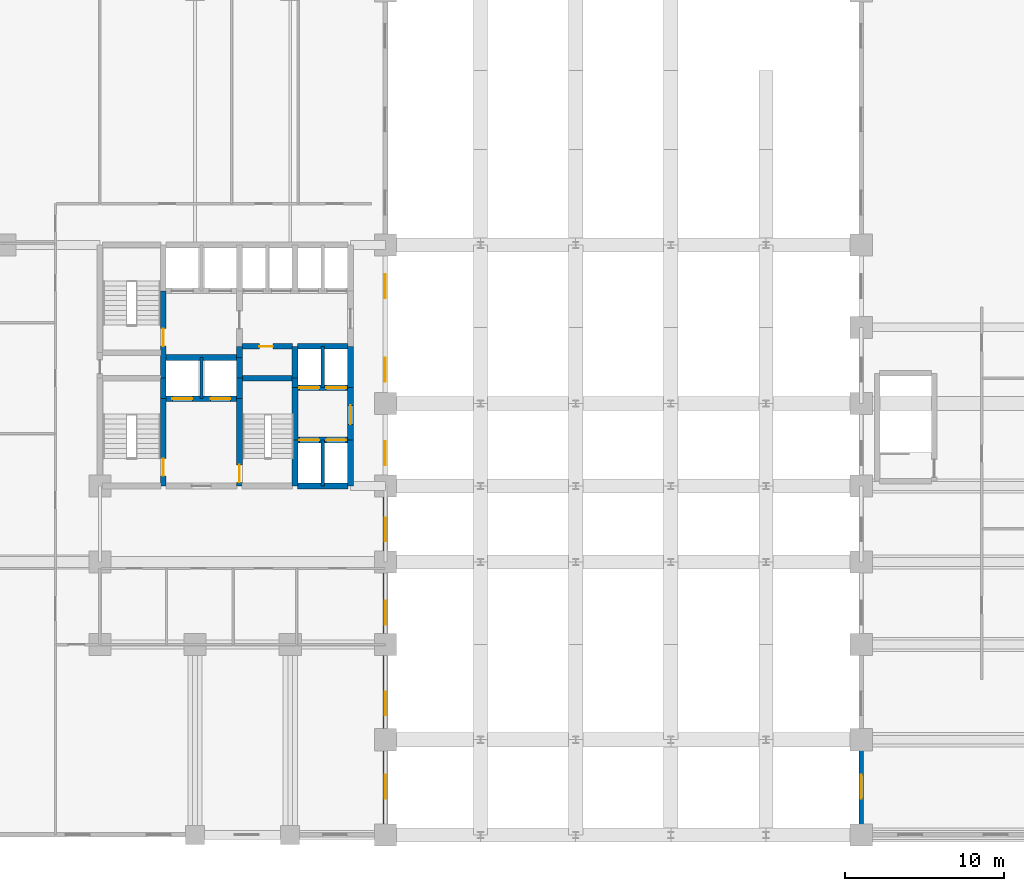
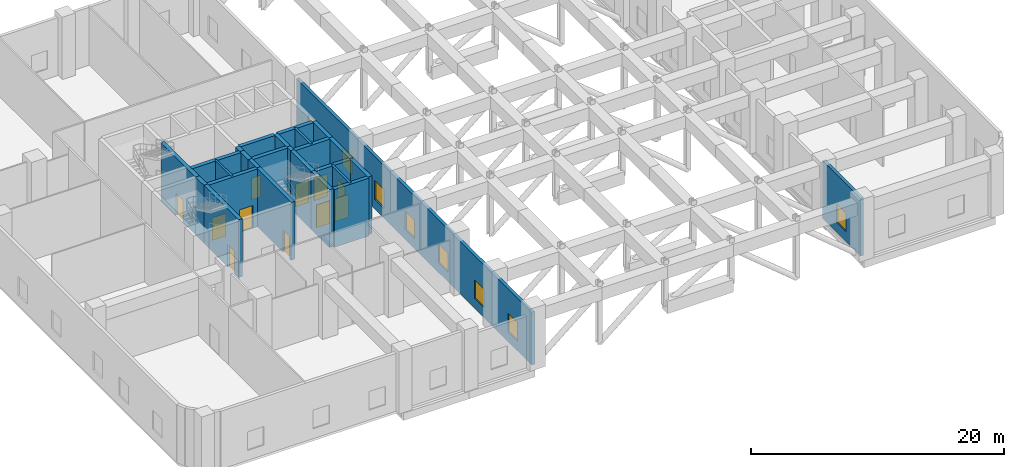
# One storey, part 5 of 11: 27 walls, 11 doors, 8 windows, 19 openings.
"""IFC4 building model written with IfcOpenShell, lengths in metres."""

from ifc_helpers import new_model, si_unit, direction, frame, frame_2d, origin, place, context, subcontext, project, spatial, rectangle, extrude, material, layer, layer_set, type_object, element, fill, save


model = new_model("IFC4")

# Units and contexts
model_context = context("Model", 3, precision=1e-05, world=origin(), true_north=direction((0.0, 1.0)))
body_context = subcontext(model_context, "Body", "Model", "MODEL_VIEW")
ifc_project = project(units=[si_unit("LENGTHUNIT", "METRE"), si_unit("AREAUNIT", "SQUARE_METRE"), si_unit("VOLUMEUNIT", "CUBIC_METRE"), si_unit("PLANEANGLEUNIT", "RADIAN"), si_unit("MASSUNIT", "GRAM", prefix="KILO")], contexts=[model_context])

# Site, building, storey
site_placement = place(None, origin())
site = spatial("IfcSite", under=ifc_project, at=site_placement, CompositionType="ELEMENT")
building_placement = place(site_placement, origin())
building = spatial("IfcBuilding", under=site, at=building_placement, Name="Keshet Zoharim Tower", CompositionType="ELEMENT")
storey_placement = place(building_placement, frame((0.0, 0.0, 13.0)))
storey = spatial("IfcBuildingStorey", under=building, at=storey_placement, Name="L02", CompositionType="ELEMENT", Elevation=13.0)

# Wall, opening, door
ifc_material_1 = material(Name="Concrete C60/75", Category="concrete")
ifc_layer_1 = layer(ifc_material_1, 0.35009765625)
ifc_layer_set_1 = layer_set([ifc_layer_1], Name="Concrete C60/75")
wall_type_1 = type_object("IfcWallType", Name="WL-CORE-350", PredefinedType="SHEAR", material=ifc_layer_set_1)
wall_1_placement = place(storey_placement, frame((19.0, 22.699951171875, 0.0), z_axis=(0.0, 0.0, 1.0), x_axis=(0.0, 1.0, 0.0)))
wall_1 = element("IfcWall", 1, at=wall_1_placement, inside=storey, type_object=wall_type_1, Name="L02 Core Shear Wall 011", PredefinedType="SHEAR", context=body_context, shape_type="SweptSolid", body=[
    extrude(rectangle(XDim=5.5, YDim=0.35009765625, at=frame_2d((2.75, 0.0))), origin(), (0.0, 0.0, 1.0), 5.580078125),
])
opening_1_placement = place(wall_1_placement, frame((0.631103515625, 0.0, 0.0)))
opening_1 = element("IfcOpeningElement", 2, at=opening_1_placement, cuts=wall_1, Name="Opening D-F611", PredefinedType="OPENING", context=body_context, shape_type="SweptSolid", body=[
    extrude(rectangle(XDim=1.10009765625, YDim=2.14990234375, at=frame_2d((0.550048828125, 1.074951171875))), frame((0.0, 0.18505859375, 0.0), z_axis=(0.0, -1.0, 0.0), x_axis=(1.0, 0.0, 0.0)), (0.0, 0.0, 1.0), 0.3701171875),
])
ifc_material_2 = material(Name="Hardwood Timber", Category="wood")
door_type_1 = type_object("IfcDoorType", Name="DR-FD60-110", OperationType="NOTDEFINED", PredefinedType="DOOR", material=ifc_material_2)
door_1_placement = place(opening_1_placement, origin())
door_1 = element("IfcDoor", 3, at=door_1_placement, inside=storey, type_object=door_type_1, Name="L02 Exit Stair ST-01 Fire Door", OperationType="SINGLE_SWING_RIGHT", OverallHeight=2.14990234375, OverallWidth=1.10009765625, PredefinedType="DOOR", context=body_context, shape_type="SweptSolid", body=[
    extrude(rectangle(XDim=1.10009765625, YDim=2.14990234375, at=frame_2d((0.550048828125, 1.074951171875))), frame((0.0, 0.02490234375, 0.0), z_axis=(0.0, -1.0, 0.0), x_axis=(1.0, 0.0, 0.0)), (0.0, 0.0, 1.0), 0.050048828125),
])
fill(opening_1, door_1)

# Wall
wall_2_placement = place(storey_placement, frame((19.0, 28.199951171875, 0.0), z_axis=(0.0, 0.0, 1.0), x_axis=(0.0, 1.0, 0.0)))
element("IfcWall", 4, at=wall_2_placement, inside=storey, type_object=wall_type_1, Name="L02 Core Shear Wall 012", PredefinedType="SHEAR", context=body_context, shape_type="SweptSolid", body=[
    extrude(rectangle(XDim=1.300048828125, YDim=0.35009765625, at=frame_2d((0.64990234375, 0.0))), origin(), (0.0, 0.0, 1.0), 5.580078125),
])

# Wall, opening, door
wall_3_placement = place(storey_placement, frame((19.0, 29.5, 0.0), z_axis=(0.0, 0.0, 1.0), x_axis=(0.0, 1.0, 0.0)))
wall_3 = element("IfcWall", 5, at=wall_3_placement, inside=storey, type_object=wall_type_1, Name="L02 Core Shear Wall 013", PredefinedType="SHEAR", context=body_context, shape_type="SweptSolid", body=[
    extrude(rectangle(XDim=5.5, YDim=0.35009765625, at=frame_2d((2.75, 0.0))), origin(), (0.0, 0.0, 1.0), 5.580078125),
])
opening_2_placement = place(wall_3_placement, frame((2.02490234375, 0.0, 0.0)))
opening_2 = element("IfcOpeningElement", 6, at=opening_2_placement, cuts=wall_3, Name="Opening D-F611", PredefinedType="OPENING", context=body_context, shape_type="SweptSolid", body=[
    extrude(rectangle(XDim=1.10009765625, YDim=2.14990234375, at=frame_2d((0.550048828125, 1.074951171875))), frame((0.0, 0.18505859375, 0.0), z_axis=(0.0, -1.0, 0.0), x_axis=(1.0, 0.0, 0.0)), (0.0, 0.0, 1.0), 0.3701171875),
])
door_2_placement = place(opening_2_placement, origin())
door_2 = element("IfcDoor", 7, at=door_2_placement, inside=storey, type_object=door_type_1, Name="L02 Exit Stair ST-02 Fire Door", OperationType="SINGLE_SWING_LEFT", OverallHeight=2.14990234375, OverallWidth=1.10009765625, PredefinedType="DOOR", context=body_context, shape_type="SweptSolid", body=[
    extrude(rectangle(XDim=1.10009765625, YDim=2.14990234375, at=frame_2d((0.550048828125, 1.074951171875))), frame((0.0, 0.02490234375, 0.0), z_axis=(0.0, -1.0, 0.0), x_axis=(1.0, 0.0, 0.0)), (0.0, 0.0, 1.0), 0.050048828125),
])
fill(opening_2, door_2)

wall_4_placement = place(storey_placement, frame((23.800048828125, 22.699951171875, 0.0), z_axis=(0.0, 0.0, 1.0), x_axis=(0.0, 1.0, 0.0)))
wall_4 = element("IfcWall", 8, at=wall_4_placement, inside=storey, type_object=wall_type_1, Name="L02 Core Shear Wall 020", PredefinedType="SHEAR", context=body_context, shape_type="SweptSolid", body=[
    extrude(rectangle(XDim=5.5, YDim=0.35009765625, at=frame_2d((2.75, 0.0))), origin(), (0.0, 0.0, 1.0), 5.580078125),
])
opening_3_placement = place(wall_4_placement, frame((0.235107421875, 0.0, 0.0)))
opening_3 = element("IfcOpeningElement", 9, at=opening_3_placement, cuts=wall_4, Name="Opening D-F611", PredefinedType="OPENING", context=body_context, shape_type="SweptSolid", body=[
    extrude(rectangle(XDim=1.10009765625, YDim=2.14990234375, at=frame_2d((0.550048828125, 1.074951171875))), frame((0.0, 0.18505859375, 0.0), z_axis=(0.0, -1.0, 0.0), x_axis=(1.0, 0.0, 0.0)), (0.0, 0.0, 1.0), 0.3701171875),
])
door_3_placement = place(opening_3_placement, frame((1.10009765625, 0.0, 0.0), z_axis=(0.0, 0.0, 1.0), x_axis=(-1.0, 0.0, 0.0)))
door_3 = element("IfcDoor", 10, at=door_3_placement, inside=storey, type_object=door_type_1, Name="L02 Exit Stair ST-03 Fire Door", OperationType="SINGLE_SWING_RIGHT", OverallHeight=2.14990234375, OverallWidth=1.10009765625, PredefinedType="DOOR", context=body_context, shape_type="SweptSolid", body=[
    extrude(rectangle(XDim=1.10009765625, YDim=2.14990234375, at=frame_2d((0.550048828125, 1.074951171875))), frame((0.0, 0.02490234375, 0.0), z_axis=(0.0, -1.0, 0.0), x_axis=(1.0, 0.0, 0.0)), (0.0, 0.0, 1.0), 0.050048828125),
])
fill(opening_3, door_3)

# Walls
for number, where, z_axis, x_axis, name in (
    (11, (23.800048828125, 28.199951171875, 0.0), (0.0, 0.0, 1.0), (0.0, 1.0, 0.0), "L02 Core Shear Wall 021"),
    (12, (23.800048828125, 29.5, 0.0), (0.0, 0.0, 1.0), (0.0, 1.0, 0.0), "L02 Core Shear Wall 022"),
):
    element("IfcWall", number, at=place(storey_placement, frame(where, z_axis=z_axis, x_axis=x_axis)), inside=storey, type_object=wall_type_1, Name=name, PredefinedType="SHEAR", context=body_context, shape_type="SweptSolid", body=[
        extrude(rectangle(XDim=1.300048828125, YDim=0.35009765625, at=frame_2d((0.64990234375, 0.0))), origin(), (0.0, 0.0, 1.0), 5.580078125),
    ])
wall_5_placement = place(storey_placement, frame((23.800048828125, 30.800048828125, 0.0), z_axis=(0.0, 0.0, 1.0), x_axis=(0.0, 1.0, 0.0)))
element("IfcWall", 13, at=wall_5_placement, inside=storey, type_object=wall_type_1, Name="L02 Core Shear Wall 023", PredefinedType="SHEAR", context=body_context, shape_type="SweptSolid", body=[
    extrude(rectangle(XDim=0.699951171875, YDim=0.35009765625, at=frame_2d((0.35009765625, 0.0))), origin(), (0.0, 0.0, 1.0), 5.580078125),
])
wall_6_placement = place(storey_placement, frame((27.300048828125, 22.699951171875, 0.0), z_axis=(0.0, 0.0, 1.0), x_axis=(0.0, 1.0, 0.0)))
element("IfcWall", 14, at=wall_6_placement, inside=storey, type_object=wall_type_1, Name="L02 Core Shear Wall 027", PredefinedType="SHEAR", context=body_context, shape_type="SweptSolid", body=[
    extrude(rectangle(XDim=2.900146484375, YDim=0.35009765625, at=frame_2d((1.4501953125, 0.0))), origin(), (0.0, 0.0, 1.0), 5.580078125),
])
wall_7_placement = place(storey_placement, frame((27.300048828125, 25.60009765625, 0.0), z_axis=(0.0, 0.0, 1.0), x_axis=(0.0, 1.0, 0.0)))
element("IfcWall", 15, at=wall_7_placement, inside=storey, type_object=wall_type_1, Name="L02 Core Shear Wall 028", PredefinedType="SHEAR", context=body_context, shape_type="SweptSolid", body=[
    extrude(rectangle(XDim=3.2998046875, YDim=0.35009765625, at=frame_2d((1.64990234375, 0.0))), origin(), (0.0, 0.0, 1.0), 5.580078125),
])
wall_8_placement = place(storey_placement, frame((27.300048828125, 28.89990234375, 0.0), z_axis=(0.0, 0.0, 1.0), x_axis=(0.0, 1.0, 0.0)))
element("IfcWall", 16, at=wall_8_placement, inside=storey, type_object=wall_type_1, Name="L02 Core Shear Wall 029", PredefinedType="SHEAR", context=body_context, shape_type="SweptSolid", body=[
    extrude(rectangle(XDim=0.60009765625, YDim=0.35009765625, at=frame_2d((0.300048828125, 0.0))), origin(), (0.0, 0.0, 1.0), 5.580078125),
])
wall_9_placement = place(storey_placement, frame((27.300048828125, 29.5, 0.0), z_axis=(0.0, 0.0, 1.0), x_axis=(0.0, 1.0, 0.0)))
element("IfcWall", 17, at=wall_9_placement, inside=storey, type_object=wall_type_1, Name="L02 Core Shear Wall 030", PredefinedType="SHEAR", context=body_context, shape_type="SweptSolid", body=[
    extrude(rectangle(XDim=2.0, YDim=0.35009765625, at=frame_2d((1.0, 0.0))), origin(), (0.0, 0.0, 1.0), 5.580078125),
])
wall_10_placement = place(storey_placement, frame((30.800048828125, 22.699951171875, 0.0), z_axis=(0.0, 0.0, 1.0), x_axis=(0.0, 1.0, 0.0)))
element("IfcWall", 18, at=wall_10_placement, inside=storey, type_object=wall_type_1, Name="L02 Core Shear Wall 037", PredefinedType="SHEAR", context=body_context, shape_type="SweptSolid", body=[
    extrude(rectangle(XDim=2.900146484375, YDim=0.35009765625, at=frame_2d((1.4501953125, 0.0))), origin(), (0.0, 0.0, 1.0), 5.580078125),
])

# Wall, opening, door
wall_11_placement = place(storey_placement, frame((30.800048828125, 25.60009765625, 0.0), z_axis=(0.0, 0.0, 1.0), x_axis=(0.0, 1.0, 0.0)))
wall_11 = element("IfcWall", 19, at=wall_11_placement, inside=storey, type_object=wall_type_1, Name="L02 Core Shear Wall 038", PredefinedType="SHEAR", context=body_context, shape_type="SweptSolid", body=[
    extrude(rectangle(XDim=3.2998046875, YDim=0.35009765625, at=frame_2d((1.64990234375, 0.0))), origin(), (0.0, 0.0, 1.0), 5.580078125),
])
opening_4_placement = place(wall_11_placement, frame((0.97802734375, 0.0, 0.0)))
opening_4 = element("IfcOpeningElement", 20, at=opening_4_placement, cuts=wall_11, Name="Opening D-F612", PredefinedType="OPENING", context=body_context, shape_type="SweptSolid", body=[
    extrude(rectangle(XDim=1.199951171875, YDim=2.199951171875, at=frame_2d((0.60009765625, 1.10009765625))), frame((0.0, 0.18505859375, 0.0), z_axis=(0.0, -1.0, 0.0), x_axis=(1.0, 0.0, 0.0)), (0.0, 0.0, 1.0), 0.3701171875),
])
door_type_2 = type_object("IfcDoorType", Name="DR-FD60-120", OperationType="NOTDEFINED", PredefinedType="DOOR", material=ifc_material_2)
door_4_placement = place(opening_4_placement, origin())
door_4 = element("IfcDoor", 21, at=door_4_placement, inside=storey, type_object=door_type_2, Name="L02 East Lift Lobby Fire Door", OperationType="SINGLE_SWING_RIGHT", OverallHeight=2.199951171875, OverallWidth=1.199951171875, PredefinedType="DOOR", context=body_context, shape_type="SweptSolid", body=[
    extrude(rectangle(XDim=1.199951171875, YDim=2.199951171875, at=frame_2d((0.60009765625, 1.10009765625))), frame((0.0, 0.02490234375, 0.0), z_axis=(0.0, -1.0, 0.0), x_axis=(1.0, 0.0, 0.0)), (0.0, 0.0, 1.0), 0.050048828125),
])
fill(opening_4, door_4)

# Walls
wall_12_placement = place(storey_placement, frame((30.800048828125, 28.89990234375, 0.0), z_axis=(0.0, 0.0, 1.0), x_axis=(0.0, 1.0, 0.0)))
element("IfcWall", 22, at=wall_12_placement, inside=storey, type_object=wall_type_1, Name="L02 Core Shear Wall 039", PredefinedType="SHEAR", context=body_context, shape_type="SweptSolid", body=[
    extrude(rectangle(XDim=2.60009765625, YDim=0.35009765625, at=frame_2d((1.300048828125, 0.0))), origin(), (0.0, 0.0, 1.0), 5.580078125),
])
wall_13_placement = place(storey_placement, frame((27.4599609375, 22.699951171875, 0.0), z_axis=(0.0, 0.0, 1.0), x_axis=(1.0, 0.0, 0.0)))
element("IfcWall", 23, at=wall_13_placement, inside=storey, type_object=wall_type_1, Name="L02 Core Shear Wall 059", PredefinedType="SHEAR", context=body_context, shape_type="SweptSolid", body=[
    extrude(rectangle(XDim=3.179931640625, YDim=0.35009765625, at=frame_2d((1.58984375, 0.0))), origin(), (0.0, 0.0, 1.0), 5.580078125),
])

# Wall, openings, doors
wall_14_placement = place(storey_placement, frame((27.4599609375, 25.60009765625, 0.0), z_axis=(0.0, 0.0, 1.0), x_axis=(1.0, 0.0, 0.0)))
wall_14 = element("IfcWall", 24, at=wall_14_placement, inside=storey, type_object=wall_type_1, Name="L02 Core Shear Wall 061", PredefinedType="SHEAR", context=body_context, shape_type="SweptSolid", body=[
    extrude(rectangle(XDim=3.179931640625, YDim=0.35009765625, at=frame_2d((1.58984375, 0.0))), origin(), (0.0, 0.0, 1.0), 5.580078125),
])
opening_5_placement = place(wall_14_placement, frame((0.1201171875, 0.0, 0.0)))
opening_5 = element("IfcOpeningElement", 25, at=opening_5_placement, cuts=wall_14, Name="Opening LD-01", PredefinedType="OPENING", context=body_context, shape_type="SweptSolid", body=[
    extrude(rectangle(XDim=1.25, YDim=2.199951171875, at=frame_2d((0.625, 1.10009765625))), frame((0.0, 0.18505859375, 0.0), z_axis=(0.0, -1.0, 0.0), x_axis=(1.0, 0.0, 0.0)), (0.0, 0.0, 1.0), 0.3701171875),
])
opening_6_placement = place(wall_14_placement, frame((1.81005859375, 0.0, 0.0)))
opening_6 = element("IfcOpeningElement", 26, at=opening_6_placement, cuts=wall_14, Name="Opening LD-01", PredefinedType="OPENING", context=body_context, shape_type="SweptSolid", body=[
    extrude(rectangle(XDim=1.25, YDim=2.199951171875, at=frame_2d((0.625, 1.10009765625))), frame((0.0, 0.18505859375, 0.0), z_axis=(0.0, -1.0, 0.0), x_axis=(1.0, 0.0, 0.0)), (0.0, 0.0, 1.0), 0.3701171875),
])
ifc_material_3 = material(Name="Steel S355", Category="steel")
door_type_3 = type_object("IfcDoorType", Name="DR-LD01-125", OperationType="DOUBLE_DOOR_SLIDING", PredefinedType="DOOR", material=ifc_material_3)
door_5_placement = place(opening_5_placement, origin())
door_5 = element("IfcDoor", 27, at=door_5_placement, inside=storey, type_object=door_type_3, Name="L02 Passenger Lift Landing Door LF-07", OperationType="DOUBLE_DOOR_SLIDING", OverallHeight=2.199951171875, OverallWidth=1.25, PredefinedType="DOOR", context=body_context, shape_type="SweptSolid", body=[
    extrude(rectangle(XDim=1.25, YDim=2.199951171875, at=frame_2d((0.625, 1.10009765625))), frame((0.0, 0.02490234375, 0.0), z_axis=(0.0, -1.0, 0.0), x_axis=(1.0, 0.0, 0.0)), (0.0, 0.0, 1.0), 0.050048828125),
])
fill(opening_5, door_5)
door_6_placement = place(opening_6_placement, origin())
door_6 = element("IfcDoor", 28, at=door_6_placement, inside=storey, type_object=door_type_3, Name="L02 Passenger Lift Landing Door LF-08", OperationType="DOUBLE_DOOR_SLIDING", OverallHeight=2.199951171875, OverallWidth=1.25, PredefinedType="DOOR", context=body_context, shape_type="SweptSolid", body=[
    extrude(rectangle(XDim=1.25, YDim=2.199951171875, at=frame_2d((0.625, 1.10009765625))), frame((0.0, 0.02490234375, 0.0), z_axis=(0.0, -1.0, 0.0), x_axis=(1.0, 0.0, 0.0)), (0.0, 0.0, 1.0), 0.050048828125),
])
fill(opening_6, door_6)

wall_15_placement = place(storey_placement, frame((19.159912109375, 28.199951171875, 0.0), z_axis=(0.0, 0.0, 1.0), x_axis=(1.0, 0.0, 0.0)))
wall_15 = element("IfcWall", 29, at=wall_15_placement, inside=storey, type_object=wall_type_1, Name="L02 Core Shear Wall 063", PredefinedType="SHEAR", context=body_context, shape_type="SweptSolid", body=[
    extrude(rectangle(XDim=4.47998046875, YDim=0.35009765625, at=frame_2d((2.239990234375, 0.0))), origin(), (0.0, 0.0, 1.0), 5.580078125),
])
opening_7_placement = place(wall_15_placement, frame((0.4150390625, 0.0, 0.0)))
opening_7 = element("IfcOpeningElement", 30, at=opening_7_placement, cuts=wall_15, Name="Opening LD-01", PredefinedType="OPENING", context=body_context, shape_type="SweptSolid", body=[
    extrude(rectangle(XDim=1.25, YDim=2.199951171875, at=frame_2d((0.625, 1.10009765625))), frame((0.0, 0.18505859375, 0.0), z_axis=(0.0, -1.0, 0.0), x_axis=(1.0, 0.0, 0.0)), (0.0, 0.0, 1.0), 0.3701171875),
])
opening_8_placement = place(wall_15_placement, frame((2.81494140625, 0.0, 0.0)))
opening_8 = element("IfcOpeningElement", 31, at=opening_8_placement, cuts=wall_15, Name="Opening LD-01", PredefinedType="OPENING", context=body_context, shape_type="SweptSolid", body=[
    extrude(rectangle(XDim=1.25, YDim=2.199951171875, at=frame_2d((0.625, 1.10009765625))), frame((0.0, 0.18505859375, 0.0), z_axis=(0.0, -1.0, 0.0), x_axis=(1.0, 0.0, 0.0)), (0.0, 0.0, 1.0), 0.3701171875),
])
door_7_placement = place(opening_7_placement, origin())
door_7 = element("IfcDoor", 32, at=door_7_placement, inside=storey, type_object=door_type_3, Name="L02 Passenger Lift Landing Door LF-09", OperationType="DOUBLE_DOOR_SLIDING", OverallHeight=2.199951171875, OverallWidth=1.25, PredefinedType="DOOR", context=body_context, shape_type="SweptSolid", body=[
    extrude(rectangle(XDim=1.25, YDim=2.199951171875, at=frame_2d((0.625, 1.10009765625))), frame((0.0, 0.02490234375, 0.0), z_axis=(0.0, -1.0, 0.0), x_axis=(1.0, 0.0, 0.0)), (0.0, 0.0, 1.0), 0.050048828125),
])
fill(opening_7, door_7)
door_8_placement = place(opening_8_placement, origin())
door_8 = element("IfcDoor", 33, at=door_8_placement, inside=storey, type_object=door_type_3, Name="L02 Passenger Lift Landing Door LF-10", OperationType="DOUBLE_DOOR_SLIDING", OverallHeight=2.199951171875, OverallWidth=1.25, PredefinedType="DOOR", context=body_context, shape_type="SweptSolid", body=[
    extrude(rectangle(XDim=1.25, YDim=2.199951171875, at=frame_2d((0.625, 1.10009765625))), frame((0.0, 0.02490234375, 0.0), z_axis=(0.0, -1.0, 0.0), x_axis=(1.0, 0.0, 0.0)), (0.0, 0.0, 1.0), 0.050048828125),
])
fill(opening_8, door_8)

wall_16_placement = place(storey_placement, frame((27.4599609375, 28.89990234375, 0.0), z_axis=(0.0, 0.0, 1.0), x_axis=(1.0, 0.0, 0.0)))
wall_16 = element("IfcWall", 34, at=wall_16_placement, inside=storey, type_object=wall_type_1, Name="L02 Core Shear Wall 064", PredefinedType="SHEAR", context=body_context, shape_type="SweptSolid", body=[
    extrude(rectangle(XDim=3.179931640625, YDim=0.35009765625, at=frame_2d((1.58984375, 0.0))), origin(), (0.0, 0.0, 1.0), 5.580078125),
])
opening_9_placement = place(wall_16_placement, frame((0.1201171875, 0.0, 0.0)))
opening_9 = element("IfcOpeningElement", 35, at=opening_9_placement, cuts=wall_16, Name="Opening LD-01", PredefinedType="OPENING", context=body_context, shape_type="SweptSolid", body=[
    extrude(rectangle(XDim=1.25, YDim=2.199951171875, at=frame_2d((0.625, 1.10009765625))), frame((0.0, 0.18505859375, 0.0), z_axis=(0.0, -1.0, 0.0), x_axis=(1.0, 0.0, 0.0)), (0.0, 0.0, 1.0), 0.3701171875),
])
opening_10_placement = place(wall_16_placement, frame((1.81005859375, 0.0, 0.0)))
opening_10 = element("IfcOpeningElement", 36, at=opening_10_placement, cuts=wall_16, Name="Opening LD-01", PredefinedType="OPENING", context=body_context, shape_type="SweptSolid", body=[
    extrude(rectangle(XDim=1.25, YDim=2.199951171875, at=frame_2d((0.625, 1.10009765625))), frame((0.0, 0.18505859375, 0.0), z_axis=(0.0, -1.0, 0.0), x_axis=(1.0, 0.0, 0.0)), (0.0, 0.0, 1.0), 0.3701171875),
])
door_9_placement = place(opening_9_placement, origin())
door_9 = element("IfcDoor", 37, at=door_9_placement, inside=storey, type_object=door_type_3, Name="L02 Passenger Lift Landing Door LF-05", OperationType="DOUBLE_DOOR_SLIDING", OverallHeight=2.199951171875, OverallWidth=1.25, PredefinedType="DOOR", context=body_context, shape_type="SweptSolid", body=[
    extrude(rectangle(XDim=1.25, YDim=2.199951171875, at=frame_2d((0.625, 1.10009765625))), frame((0.0, 0.02490234375, 0.0), z_axis=(0.0, -1.0, 0.0), x_axis=(1.0, 0.0, 0.0)), (0.0, 0.0, 1.0), 0.050048828125),
])
fill(opening_9, door_9)
door_10_placement = place(opening_10_placement, origin())
door_10 = element("IfcDoor", 38, at=door_10_placement, inside=storey, type_object=door_type_3, Name="L02 Passenger Lift Landing Door LF-06", OperationType="DOUBLE_DOOR_SLIDING", OverallHeight=2.199951171875, OverallWidth=1.25, PredefinedType="DOOR", context=body_context, shape_type="SweptSolid", body=[
    extrude(rectangle(XDim=1.25, YDim=2.199951171875, at=frame_2d((0.625, 1.10009765625))), frame((0.0, 0.02490234375, 0.0), z_axis=(0.0, -1.0, 0.0), x_axis=(1.0, 0.0, 0.0)), (0.0, 0.0, 1.0), 0.050048828125),
])
fill(opening_10, door_10)

# Walls
wall_17_placement = place(storey_placement, frame((23.9599609375, 29.5, 0.0), z_axis=(0.0, 0.0, 1.0), x_axis=(1.0, 0.0, 0.0)))
element("IfcWall", 39, at=wall_17_placement, inside=storey, type_object=wall_type_1, Name="L02 Core Shear Wall 066", PredefinedType="SHEAR", context=body_context, shape_type="SweptSolid", body=[
    extrude(rectangle(XDim=3.179931640625, YDim=0.35009765625, at=frame_2d((1.58984375, 0.0))), origin(), (0.0, 0.0, 1.0), 5.580078125),
])
wall_18_placement = place(storey_placement, frame((19.159912109375, 30.800048828125, 0.0), z_axis=(0.0, 0.0, 1.0), x_axis=(1.0, 0.0, 0.0)))
element("IfcWall", 40, at=wall_18_placement, inside=storey, type_object=wall_type_1, Name="L02 Core Shear Wall 069", PredefinedType="SHEAR", context=body_context, shape_type="SweptSolid", body=[
    extrude(rectangle(XDim=4.47998046875, YDim=0.35009765625, at=frame_2d((2.239990234375, 0.0))), origin(), (0.0, 0.0, 1.0), 5.580078125),
])

# Wall, opening, door
wall_19_placement = place(storey_placement, frame((23.9599609375, 31.5, 0.0), z_axis=(0.0, 0.0, 1.0), x_axis=(1.0, 0.0, 0.0)))
wall_19 = element("IfcWall", 41, at=wall_19_placement, inside=storey, type_object=wall_type_1, Name="L02 Core Shear Wall 071", PredefinedType="SHEAR", context=body_context, shape_type="SweptSolid", body=[
    extrude(rectangle(XDim=3.179931640625, YDim=0.35009765625, at=frame_2d((1.58984375, 0.0))), origin(), (0.0, 0.0, 1.0), 5.580078125),
])
opening_11_placement = place(wall_19_placement, frame((1.093994140625, 0.0, 0.0)))
opening_11 = element("IfcOpeningElement", 42, at=opening_11_placement, cuts=wall_19, Name="Opening D-RS85", PredefinedType="OPENING", context=body_context, shape_type="SweptSolid", body=[
    extrude(rectangle(XDim=0.85009765625, YDim=2.10009765625, at=frame_2d((0.425048828125, 1.050048828125))), frame((0.0, 0.18505859375, 0.0), z_axis=(0.0, -1.0, 0.0), x_axis=(1.0, 0.0, 0.0)), (0.0, 0.0, 1.0), 0.3701171875),
])
door_type_4 = type_object("IfcDoorType", Name="DR-RIS-085", OperationType="NOTDEFINED", PredefinedType="DOOR", material=ifc_material_2)
door_11_placement = place(opening_11_placement, origin())
door_11 = element("IfcDoor", 43, at=door_11_placement, inside=storey, type_object=door_type_4, Name="L02 Telecom Riser Access Cupboard Door", OperationType="SINGLE_SWING_RIGHT", OverallHeight=2.10009765625, OverallWidth=0.85009765625, PredefinedType="DOOR", context=body_context, shape_type="SweptSolid", body=[
    extrude(rectangle(XDim=0.85009765625, YDim=2.10009765625, at=frame_2d((0.425048828125, 1.050048828125))), frame((0.0, 0.02490234375, 0.0), z_axis=(0.0, -1.0, 0.0), x_axis=(1.0, 0.0, 0.0)), (0.0, 0.0, 1.0), 0.050048828125),
])
fill(opening_11, door_11)

# Wall
wall_20_placement = place(storey_placement, frame((27.4599609375, 31.5, 0.0), z_axis=(0.0, 0.0, 1.0), x_axis=(1.0, 0.0, 0.0)))
element("IfcWall", 44, at=wall_20_placement, inside=storey, type_object=wall_type_1, Name="L02 Core Shear Wall 072", PredefinedType="SHEAR", context=body_context, shape_type="SweptSolid", body=[
    extrude(rectangle(XDim=3.179931640625, YDim=0.35009765625, at=frame_2d((1.58984375, 0.0))), origin(), (0.0, 0.0, 1.0), 5.580078125),
])

# Wall, opening, window
ifc_material_4 = material(Name="Concrete C50/60 precast", Category="concrete")
ifc_layer_2 = layer(ifc_material_4, 0.280029296875)
ifc_layer_set_2 = layer_set([ifc_layer_2], Name="Concrete C50/60 precast")
wall_type_2 = type_object("IfcWallType", Name="WL-EXT-280", PredefinedType="STANDARD", material=ifc_layer_set_2)
wall_21_placement = place(storey_placement, frame((63.0, 0.699951171875, 0.0), z_axis=(0.0, 0.0, 1.0), x_axis=(0.0, 1.0, 0.0)))
wall_21 = element("IfcWall", 45, at=wall_21_placement, inside=storey, type_object=wall_type_2, Name="L02 Podium Precast Facade Wall 19", PredefinedType="STANDARD", context=body_context, shape_type="SweptSolid", body=[
    extrude(rectangle(XDim=6.0, YDim=0.280029296875, at=frame_2d((3.0, 0.0))), origin(), (0.0, 0.0, 1.0), 5.580078125),
])
opening_12_placement = place(wall_21_placement, frame((2.280029296875, 0.0, 0.949951171875)))
opening_12 = element("IfcOpeningElement", 46, at=opening_12_placement, cuts=wall_21, Name="Opening W-150", PredefinedType="OPENING", context=body_context, shape_type="SweptSolid", body=[
    extrude(rectangle(XDim=1.5, YDim=1.800048828125, at=frame_2d((0.75, 0.89990234375))), frame((0.0, 0.14990234375, 0.0), z_axis=(0.0, -1.0, 0.0), x_axis=(1.0, 0.0, 0.0)), (0.0, 0.0, 1.0), 0.300048828125),
])
ifc_material_5 = material(Name="Insulated Low-E Clear Glass", Category="glass")
window_type = type_object("IfcWindowType", Name="WN-CLN-150", PartitioningType="SINGLE_PANEL", PredefinedType="WINDOW", material=ifc_material_5)
window_1_placement = place(opening_12_placement, origin())
window_1 = element("IfcWindow", 47, at=window_1_placement, inside=storey, type_object=window_type, Name="L02 Clinic Facade Window 39", OverallHeight=1.800048828125, OverallWidth=1.5, PartitioningType="SINGLE_PANEL", PredefinedType="WINDOW", context=body_context, shape_type="SweptSolid", body=[
    extrude(rectangle(XDim=1.5, YDim=1.800048828125, at=frame_2d((0.75, 0.89990234375))), frame((0.0, 0.030029296875, 0.0), z_axis=(0.0, -1.0, 0.0), x_axis=(1.0, 0.0, 0.0)), (0.0, 0.0, 1.0), 0.06005859375),
])
fill(opening_12, window_1)

# Wall, openings, windows
wall_22_placement = place(storey_placement, frame((33.0, 37.89990234375, 0.0), z_axis=(0.0, 0.0, 1.0), x_axis=(0.0, -1.0, 0.0)))
wall_22 = element("IfcWall", 48, at=wall_22_placement, inside=storey, type_object=wall_type_2, Name="L02 Podium Precast Facade Wall 06 Part 2", PredefinedType="STANDARD", context=body_context, shape_type="SweptSolid", body=[
    extrude(rectangle(XDim=37.199951171875, YDim=0.280029296875, at=frame_2d((18.60009765625, 0.0))), origin(), (0.0, 0.0, 1.0), 5.080078125),
])
opening_13_placement = place(wall_22_placement, frame((1.860107421875, 0.0, 0.949951171875)))
opening_13 = element("IfcOpeningElement", 49, at=opening_13_placement, cuts=wall_22, Name="Opening W-150", PredefinedType="OPENING", context=body_context, shape_type="SweptSolid", body=[
    extrude(rectangle(XDim=1.5, YDim=1.800048828125, at=frame_2d((0.75, 0.89990234375))), frame((0.0, 0.14990234375, 0.0), z_axis=(0.0, -1.0, 0.0), x_axis=(1.0, 0.0, 0.0)), (0.0, 0.0, 1.0), 0.300048828125),
])
opening_14_placement = place(wall_22_placement, frame((7.1201171875, 0.0, 0.949951171875)))
opening_14 = element("IfcOpeningElement", 50, at=opening_14_placement, cuts=wall_22, Name="Opening W-150", PredefinedType="OPENING", context=body_context, shape_type="SweptSolid", body=[
    extrude(rectangle(XDim=1.5, YDim=1.800048828125, at=frame_2d((0.75, 0.89990234375))), frame((0.0, 0.14990234375, 0.0), z_axis=(0.0, -1.0, 0.0), x_axis=(1.0, 0.0, 0.0)), (0.0, 0.0, 1.0), 0.300048828125),
])
opening_15_placement = place(wall_22_placement, frame((12.3798828125, 0.0, 0.949951171875)))
opening_15 = element("IfcOpeningElement", 51, at=opening_15_placement, cuts=wall_22, Name="Opening W-150", PredefinedType="OPENING", context=body_context, shape_type="SweptSolid", body=[
    extrude(rectangle(XDim=1.5, YDim=1.800048828125, at=frame_2d((0.75, 0.89990234375))), frame((0.0, 0.14990234375, 0.0), z_axis=(0.0, -1.0, 0.0), x_axis=(1.0, 0.0, 0.0)), (0.0, 0.0, 1.0), 0.300048828125),
])
opening_16_placement = place(wall_22_placement, frame((17.18994140625, 0.0, 0.949951171875)))
opening_16 = element("IfcOpeningElement", 52, at=opening_16_placement, cuts=wall_22, Name="Opening W-150", PredefinedType="OPENING", context=body_context, shape_type="SweptSolid", body=[
    extrude(rectangle(XDim=1.5, YDim=1.800048828125, at=frame_2d((0.75, 0.89990234375))), frame((0.0, 0.14990234375, 0.0), z_axis=(0.0, -1.0, 0.0), x_axis=(1.0, 0.0, 0.0)), (0.0, 0.0, 1.0), 0.300048828125),
])
opening_17_placement = place(wall_22_placement, frame((22.449951171875, 0.0, 0.949951171875)))
opening_17 = element("IfcOpeningElement", 53, at=opening_17_placement, cuts=wall_22, Name="Opening W-150", PredefinedType="OPENING", context=body_context, shape_type="SweptSolid", body=[
    extrude(rectangle(XDim=1.5, YDim=1.800048828125, at=frame_2d((0.75, 0.89990234375))), frame((0.0, 0.14990234375, 0.0), z_axis=(0.0, -1.0, 0.0), x_axis=(1.0, 0.0, 0.0)), (0.0, 0.0, 1.0), 0.300048828125),
])
opening_18_placement = place(wall_22_placement, frame((28.159912109375, 0.0, 0.949951171875)))
opening_18 = element("IfcOpeningElement", 54, at=opening_18_placement, cuts=wall_22, Name="Opening W-150", PredefinedType="OPENING", context=body_context, shape_type="SweptSolid", body=[
    extrude(rectangle(XDim=1.5, YDim=1.800048828125, at=frame_2d((0.75, 0.89990234375))), frame((0.0, 0.14990234375, 0.0), z_axis=(0.0, -1.0, 0.0), x_axis=(1.0, 0.0, 0.0)), (0.0, 0.0, 1.0), 0.300048828125),
])
opening_19_placement = place(wall_22_placement, frame((33.419921875, 0.0, 0.949951171875)))
opening_19 = element("IfcOpeningElement", 55, at=opening_19_placement, cuts=wall_22, Name="Opening W-150", PredefinedType="OPENING", context=body_context, shape_type="SweptSolid", body=[
    extrude(rectangle(XDim=1.5, YDim=1.800048828125, at=frame_2d((0.75, 0.89990234375))), frame((0.0, 0.14990234375, 0.0), z_axis=(0.0, -1.0, 0.0), x_axis=(1.0, 0.0, 0.0)), (0.0, 0.0, 1.0), 0.300048828125),
])
window_2_placement = place(opening_13_placement, origin())
window_2 = element("IfcWindow", 56, at=window_2_placement, inside=storey, type_object=window_type, Name="L02 Clinic Facade Window 16", OverallHeight=1.800048828125, OverallWidth=1.5, PartitioningType="SINGLE_PANEL", PredefinedType="WINDOW", context=body_context, shape_type="SweptSolid", body=[
    extrude(rectangle(XDim=1.5, YDim=1.800048828125, at=frame_2d((0.75, 0.89990234375))), frame((0.0, 0.030029296875, 0.0), z_axis=(0.0, -1.0, 0.0), x_axis=(1.0, 0.0, 0.0)), (0.0, 0.0, 1.0), 0.06005859375),
])
fill(opening_13, window_2)
window_3_placement = place(opening_14_placement, origin())
window_3 = element("IfcWindow", 57, at=window_3_placement, inside=storey, type_object=window_type, Name="L02 Clinic Facade Window 17", OverallHeight=1.800048828125, OverallWidth=1.5, PartitioningType="SINGLE_PANEL", PredefinedType="WINDOW", context=body_context, shape_type="SweptSolid", body=[
    extrude(rectangle(XDim=1.5, YDim=1.800048828125, at=frame_2d((0.75, 0.89990234375))), frame((0.0, 0.030029296875, 0.0), z_axis=(0.0, -1.0, 0.0), x_axis=(1.0, 0.0, 0.0)), (0.0, 0.0, 1.0), 0.06005859375),
])
fill(opening_14, window_3)
window_4_placement = place(opening_15_placement, origin())
window_4 = element("IfcWindow", 58, at=window_4_placement, inside=storey, type_object=window_type, Name="L02 Clinic Facade Window 18", OverallHeight=1.800048828125, OverallWidth=1.5, PartitioningType="SINGLE_PANEL", PredefinedType="WINDOW", context=body_context, shape_type="SweptSolid", body=[
    extrude(rectangle(XDim=1.5, YDim=1.800048828125, at=frame_2d((0.75, 0.89990234375))), frame((0.0, 0.030029296875, 0.0), z_axis=(0.0, -1.0, 0.0), x_axis=(1.0, 0.0, 0.0)), (0.0, 0.0, 1.0), 0.06005859375),
])
fill(opening_15, window_4)
window_5_placement = place(opening_16_placement, origin())
window_5 = element("IfcWindow", 59, at=window_5_placement, inside=storey, type_object=window_type, Name="L02 Clinic Facade Window 19", OverallHeight=1.800048828125, OverallWidth=1.5, PartitioningType="SINGLE_PANEL", PredefinedType="WINDOW", context=body_context, shape_type="SweptSolid", body=[
    extrude(rectangle(XDim=1.5, YDim=1.800048828125, at=frame_2d((0.75, 0.89990234375))), frame((0.0, 0.030029296875, 0.0), z_axis=(0.0, -1.0, 0.0), x_axis=(1.0, 0.0, 0.0)), (0.0, 0.0, 1.0), 0.06005859375),
])
fill(opening_16, window_5)
window_6_placement = place(opening_17_placement, origin())
window_6 = element("IfcWindow", 60, at=window_6_placement, inside=storey, type_object=window_type, Name="L02 Clinic Facade Window 20", OverallHeight=1.800048828125, OverallWidth=1.5, PartitioningType="SINGLE_PANEL", PredefinedType="WINDOW", context=body_context, shape_type="SweptSolid", body=[
    extrude(rectangle(XDim=1.5, YDim=1.800048828125, at=frame_2d((0.75, 0.89990234375))), frame((0.0, 0.030029296875, 0.0), z_axis=(0.0, -1.0, 0.0), x_axis=(1.0, 0.0, 0.0)), (0.0, 0.0, 1.0), 0.06005859375),
])
fill(opening_17, window_6)
window_7_placement = place(opening_18_placement, origin())
window_7 = element("IfcWindow", 61, at=window_7_placement, inside=storey, type_object=window_type, Name="L02 Clinic Facade Window 21", OverallHeight=1.800048828125, OverallWidth=1.5, PartitioningType="SINGLE_PANEL", PredefinedType="WINDOW", context=body_context, shape_type="SweptSolid", body=[
    extrude(rectangle(XDim=1.5, YDim=1.800048828125, at=frame_2d((0.75, 0.89990234375))), frame((0.0, 0.030029296875, 0.0), z_axis=(0.0, -1.0, 0.0), x_axis=(1.0, 0.0, 0.0)), (0.0, 0.0, 1.0), 0.06005859375),
])
fill(opening_18, window_7)
window_8_placement = place(opening_19_placement, origin())
window_8 = element("IfcWindow", 62, at=window_8_placement, inside=storey, type_object=window_type, Name="L02 Clinic Facade Window 22", OverallHeight=1.800048828125, OverallWidth=1.5, PartitioningType="SINGLE_PANEL", PredefinedType="WINDOW", context=body_context, shape_type="SweptSolid", body=[
    extrude(rectangle(XDim=1.5, YDim=1.800048828125, at=frame_2d((0.75, 0.89990234375))), frame((0.0, 0.030029296875, 0.0), z_axis=(0.0, -1.0, 0.0), x_axis=(1.0, 0.0, 0.0)), (0.0, 0.0, 1.0), 0.06005859375),
])
fill(opening_19, window_8)

# Walls
ifc_material_6 = material(Name="Concrete C50/60", Category="concrete")
ifc_layer_3 = layer(ifc_material_6, 0.199951171875)
ifc_layer_set_3 = layer_set([ifc_layer_3], Name="Concrete C50/60")
wall_type_3 = type_object("IfcWallType", Name="WL-FIRE-200", PredefinedType="STANDARD", material=ifc_layer_set_3)
wall_23_placement = place(storey_placement, frame((21.39990234375, 28.199951171875, 0.0), z_axis=(0.0, 0.0, 1.0), x_axis=(0.0, 1.0, 0.0)))
element("IfcWall", 63, at=wall_23_placement, inside=storey, type_object=wall_type_3, Name="L02 Interior Wall 016", PredefinedType="STANDARD", context=body_context, shape_type="SweptSolid", body=[
    extrude(rectangle(XDim=2.60009765625, YDim=0.199951171875, at=frame_2d((1.300048828125, 0.0))), origin(), (0.0, 0.0, 1.0), 5.580078125),
])
wall_24_placement = place(storey_placement, frame((29.050048828125, 22.699951171875, 0.0), z_axis=(0.0, 0.0, 1.0), x_axis=(0.0, 1.0, 0.0)))
element("IfcWall", 64, at=wall_24_placement, inside=storey, type_object=wall_type_3, Name="L02 Interior Wall 034", PredefinedType="STANDARD", context=body_context, shape_type="SweptSolid", body=[
    extrude(rectangle(XDim=2.900146484375, YDim=0.199951171875, at=frame_2d((1.4501953125, 0.0))), origin(), (0.0, 0.0, 1.0), 5.580078125),
])
wall_25_placement = place(storey_placement, frame((29.050048828125, 28.89990234375, 0.0), z_axis=(0.0, 0.0, 1.0), x_axis=(0.0, 1.0, 0.0)))
element("IfcWall", 65, at=wall_25_placement, inside=storey, type_object=wall_type_3, Name="L02 Interior Wall 035", PredefinedType="STANDARD", context=body_context, shape_type="SweptSolid", body=[
    extrude(rectangle(XDim=2.60009765625, YDim=0.199951171875, at=frame_2d((1.300048828125, 0.0))), origin(), (0.0, 0.0, 1.0), 5.580078125),
])

save(model, "model.ifc")
